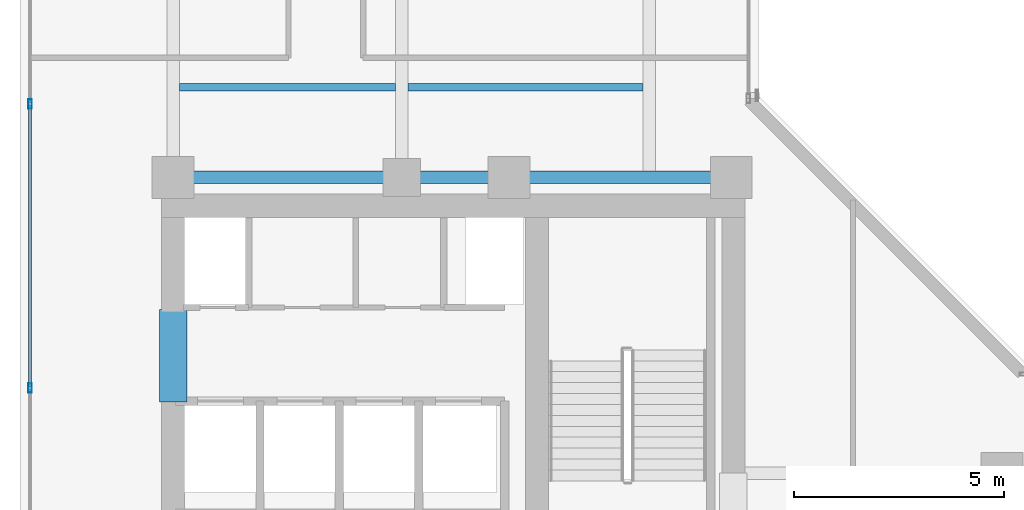
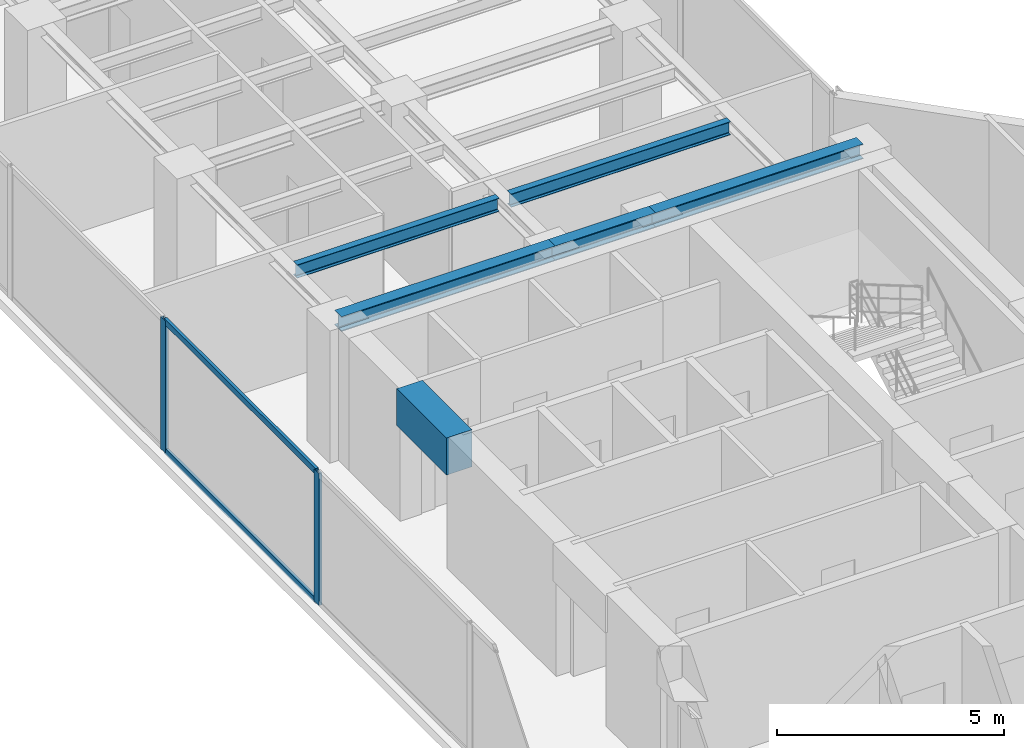
# One storey, part 6 of 23: 6 beams, 4 members, 1 element without a shape of its own.
"""IFC4 building model written with IfcOpenShell, lengths in metres."""

from ifc_helpers import new_model, si_unit, direction, frame, origin, origin_with_axes, origin_2d, place, context, subcontext, project, spatial, rectangle, hollow_rectangle, i_section, extrude, source, transform, mapped, material, layer, layer_set, material_profile, profile_set, type_object, element, aggregate, save


model = new_model("IFC4")

# Units and contexts
model_context = context("Model", 3, precision=1e-05, world=origin(), true_north=direction((0.0, 1.0)))
body_context = subcontext(model_context, "Body", "Model", "MODEL_VIEW")
ifc_project = project(units=[si_unit("LENGTHUNIT", "METRE"), si_unit("AREAUNIT", "SQUARE_METRE"), si_unit("VOLUMEUNIT", "CUBIC_METRE"), si_unit("PLANEANGLEUNIT", "RADIAN"), si_unit("MASSUNIT", "GRAM", prefix="KILO")], contexts=[model_context])

# Site, building, storey
site_placement = place(None, origin())
site = spatial("IfcSite", under=ifc_project, at=site_placement, CompositionType="ELEMENT")
building_placement = place(site_placement, origin())
building = spatial("IfcBuilding", under=site, at=building_placement, Name="Kolvaren Waterfront Exchange", CompositionType="ELEMENT")
storey_placement = place(building_placement, frame((0.0, 0.0, 242.5)))
storey = spatial("IfcBuildingStorey", under=building, at=storey_placement, Name="L62", CompositionType="ELEMENT", Elevation=242.5)

# Beams
ifc_material_1 = material(Name="Steel S355", Category="steel")
ifc_material_profile_1 = material_profile(ifc_material_1, i_section(OverallWidth=0.300048828125, OverallDepth=0.39990234375, WebThickness=0.013427734375, FlangeThickness=0.02392578125, FilletRadius=0.027099609375, at=origin_2d()), Name="HEB400")
ifc_profile_set_1 = profile_set([ifc_material_profile_1], Name="Steel S355")
beam_type_1 = type_object("IfcBeamType", Name="STR-BM-HEB400", PredefinedType="BEAM", material=ifc_profile_set_1)
beam_1_placement = place(storey_placement, frame((7.449951171875, 24.449951171875, 3.360107421875), z_axis=(1.0, 0.0, 0.0), x_axis=(0.0, 1.0, 0.0)))
element("IfcBeam", 1, at=beam_1_placement, inside=storey, type_object=beam_type_1, Name="L62 north-arm girder 1A", PredefinedType="BEAM", context=body_context, shape_type="SweptSolid", body=[
    extrude(i_section(OverallWidth=0.300048828125, OverallDepth=0.39990234375, WebThickness=0.013427734375, FlangeThickness=0.02392578125, FilletRadius=0.027099609375, at=origin_2d()), origin(), (0.0, 0.0, 1.0), 5.449951171875),
])
beam_2_placement = place(storey_placement, frame((12.89990234375, 24.449951171875, 3.360107421875), z_axis=(1.0, 0.0, 0.0), x_axis=(0.0, 1.0, 0.0)))
element("IfcBeam", 2, at=beam_2_placement, inside=storey, type_object=beam_type_1, Name="L62 north-arm girder 1B", PredefinedType="BEAM", context=body_context, shape_type="SweptSolid", body=[
    extrude(i_section(OverallWidth=0.300048828125, OverallDepth=0.39990234375, WebThickness=0.013427734375, FlangeThickness=0.02392578125, FilletRadius=0.027099609375, at=origin_2d()), origin(), (0.0, 0.0, 1.0), 2.550048828125),
])
beam_3_placement = place(storey_placement, frame((15.449951171875, 24.449951171875, 3.360107421875), z_axis=(1.0, 0.0, 0.0), x_axis=(0.0, 1.0, 0.0)))
element("IfcBeam", 3, at=beam_3_placement, inside=storey, type_object=beam_type_1, Name="L62 north-arm girder 1C", PredefinedType="BEAM", context=body_context, shape_type="SweptSolid", body=[
    extrude(i_section(OverallWidth=0.300048828125, OverallDepth=0.39990234375, WebThickness=0.013427734375, FlangeThickness=0.02392578125, FilletRadius=0.027099609375, at=origin_2d()), origin(), (0.0, 0.0, 1.0), 5.300048828125),
])
ifc_material_profile_2 = material_profile(ifc_material_1, i_section(OverallWidth=0.169921875, OverallDepth=0.360107421875, WebThickness=0.008056640625, FlangeThickness=0.0126953125, FilletRadius=0.01806640625, at=origin_2d()), Name="IPE360")
ifc_profile_set_2 = profile_set([ifc_material_profile_2], Name="Steel S355")
beam_type_2 = type_object("IfcBeamType", Name="STR-BM-IPE360", PredefinedType="JOIST", material=ifc_profile_set_2)
beam_4_placement = place(storey_placement, frame((7.60205078125, 26.60009765625, 3.3798828125), z_axis=(1.0, 0.0, 0.0), x_axis=(0.0, 1.0, 0.0)))
element("IfcBeam", 4, at=beam_4_placement, inside=storey, type_object=beam_type_2, Name="L62 north-arm composite joist 1A", PredefinedType="JOIST", context=body_context, shape_type="SweptSolid", body=[
    extrude(i_section(OverallWidth=0.169921875, OverallDepth=0.360107421875, WebThickness=0.008056640625, FlangeThickness=0.0126953125, FilletRadius=0.01806640625, at=origin_2d()), origin(), (0.0, 0.0, 1.0), 5.14599609375),
])
beam_5_placement = place(storey_placement, frame((13.052001953125, 26.60009765625, 3.3798828125), z_axis=(1.0, 0.0, 0.0), x_axis=(0.0, 1.0, 0.0)))
element("IfcBeam", 5, at=beam_5_placement, inside=storey, type_object=beam_type_2, Name="L62 north-arm composite joist 1B", PredefinedType="JOIST", context=body_context, shape_type="SweptSolid", body=[
    extrude(i_section(OverallWidth=0.169921875, OverallDepth=0.360107421875, WebThickness=0.008056640625, FlangeThickness=0.0126953125, FilletRadius=0.01806640625, at=origin_2d()), origin(), (0.0, 0.0, 1.0), 5.595947265625),
])
ifc_material_2 = material(Name="Concrete C60/75", Category="concrete")
ifc_material_profile_3 = material_profile(ifc_material_2, rectangle(XDim=0.64990234375, YDim=1.0, at=origin_2d()), Name="RC-CB-1000x650")
ifc_profile_set_3 = profile_set([ifc_material_profile_3], Name="Concrete C60/75")
beam_type_3 = type_object("IfcBeamType", Name="STR-CB-1000", PredefinedType="SPANDREL", material=ifc_profile_set_3)
beam_6_placement = place(storey_placement, frame((7.449951171875, 19.10009765625, 3.06005859375), z_axis=(0.0, 1.0, 0.0), x_axis=(-1.0, 0.0, 0.0)))
element("IfcBeam", 6, at=beam_6_placement, inside=storey, type_object=beam_type_3, Name="L62 core coupling beam 5", PredefinedType="SPANDREL", context=body_context, shape_type="SweptSolid", body=[
    extrude(rectangle(XDim=0.64990234375, YDim=1.0, at=origin_2d()), origin(), (0.0, 0.0, 1.0), 2.199951171875),
])

# Curtain wall, members
ifc_material_3 = material(Name="Anodised aluminium 6063-T6", Category="aluminium")
ifc_layer = layer(ifc_material_3, 0.219970703125, Name="Anodised aluminium 6063-T6")
ifc_layer_set = layer_set([ifc_layer], Name="Anodised aluminium 6063-T6")
curtain_wall_type = type_object("IfcCurtainWallType", Name="ARC-CW-SYS2", PredefinedType="USERDEFINED", material=ifc_layer_set)
curtain_wall_placement = place(storey_placement, origin())
curtain_wall = element("IfcCurtainWall", 7, at=curtain_wall_placement, inside=storey, type_object=curtain_wall_type, Name="L62 stick curtain wall CW2 (CW-L62-W)", ObjectType="STICK CURTAIN WALL", PredefinedType="USERDEFINED")
ifc_material_profile_4 = material_profile(ifc_material_3, hollow_rectangle(XDim=0.080078125, YDim=0.219970703125, WallThickness=0.0048828125, at=origin_2d()), Name="ALU-MUL-220x80x5")
ifc_profile_set_4 = profile_set([ifc_material_profile_4], Name="Anodised aluminium 6063-T6")
member_type_1 = type_object("IfcMemberType", Name="ARC-CWM-220", PredefinedType="MULLION", material=ifc_profile_set_4)
shared_shape_1 = source(origin_with_axes(), body_context, "Body", "SweptSolid", [
    extrude(hollow_rectangle(XDim=0.080078125, YDim=0.219970703125, WallThickness=0.0048828125, at=origin_2d()), origin(), (0.0, 0.0, 1.0), 3.56005859375),
])
member_1_placement = place(storey_placement, frame((4.0400390625, 19.433349609375, 0.0), z_axis=(0.0, 0.0, 1.0), x_axis=(-1.0, 0.0, 0.0)))
member_1 = element("IfcMember", 8, at=member_1_placement, type_object=member_type_1, Name="CW2 mullion 3", PredefinedType="MULLION", context=body_context, shape_type="MappedRepresentation", body=[
    mapped(shared_shape_1, transform((0.0, 0.0, 0.0), x_axis=(1.0, 0.0, 0.0), y_axis=(0.0, 1.0, 0.0), z_axis=(0.0, 0.0, 1.0), scale=1.0)),
])
member_2_placement = place(storey_placement, frame((4.0400390625, 26.199951171875, 0.0), z_axis=(0.0, 0.0, 1.0), x_axis=(-1.0, 0.0, 0.0)))
member_2 = element("IfcMember", 9, at=member_2_placement, type_object=member_type_1, Name="CW2 mullion 4", PredefinedType="MULLION", context=body_context, shape_type="MappedRepresentation", body=[
    mapped(shared_shape_1, transform((0.0, 0.0, 0.0), x_axis=(1.0, 0.0, 0.0), y_axis=(0.0, 1.0, 0.0), z_axis=(0.0, 0.0, 1.0), scale=1.0)),
])
ifc_material_profile_5 = material_profile(ifc_material_3, hollow_rectangle(XDim=0.074951171875, YDim=0.159912109375, WallThickness=0.00439453125, at=origin_2d()), Name="ALU-TRN-160x75x4.5")
ifc_profile_set_5 = profile_set([ifc_material_profile_5], Name="Anodised aluminium 6063-T6")
member_type_2 = type_object("IfcMemberType", Name="ARC-CWT-160", PredefinedType="USERDEFINED", material=ifc_profile_set_5)
shared_shape_2 = source(origin_with_axes(), body_context, "Body", "SweptSolid", [
    extrude(hollow_rectangle(XDim=0.074951171875, YDim=0.159912109375, WallThickness=0.00439453125, at=origin_2d()), origin(), (0.0, 0.0, 1.0), 6.6865234375),
])
member_3_placement = place(storey_placement, frame((4.0400390625, 19.473388671875, 0.03759765625), z_axis=(0.0, 1.0, 0.0), x_axis=(-1.0, 0.0, 0.0)))
member_3 = element("IfcMember", 10, at=member_3_placement, type_object=member_type_2, Name="CW2 transom 3.1", ObjectType="TRANSOM", PredefinedType="USERDEFINED", context=body_context, shape_type="MappedRepresentation", body=[
    mapped(shared_shape_2, transform((0.0, 0.0, 0.0), x_axis=(1.0, 0.0, 0.0), y_axis=(0.0, 1.0, 0.0), z_axis=(0.0, 0.0, 1.0), scale=1.0)),
])
member_4_placement = place(storey_placement, frame((4.0400390625, 19.473388671875, 3.5224609375), z_axis=(0.0, 1.0, 0.0), x_axis=(-1.0, 0.0, 0.0)))
member_4 = element("IfcMember", 11, at=member_4_placement, type_object=member_type_2, Name="CW2 transom 3.2", ObjectType="TRANSOM", PredefinedType="USERDEFINED", context=body_context, shape_type="MappedRepresentation", body=[
    mapped(shared_shape_2, transform((0.0, 0.0, 0.0), x_axis=(1.0, 0.0, 0.0), y_axis=(0.0, 1.0, 0.0), z_axis=(0.0, 0.0, 1.0), scale=1.0)),
])
aggregate(curtain_wall, [member_1, member_2, member_3, member_4])

save(model, "model.ifc")
